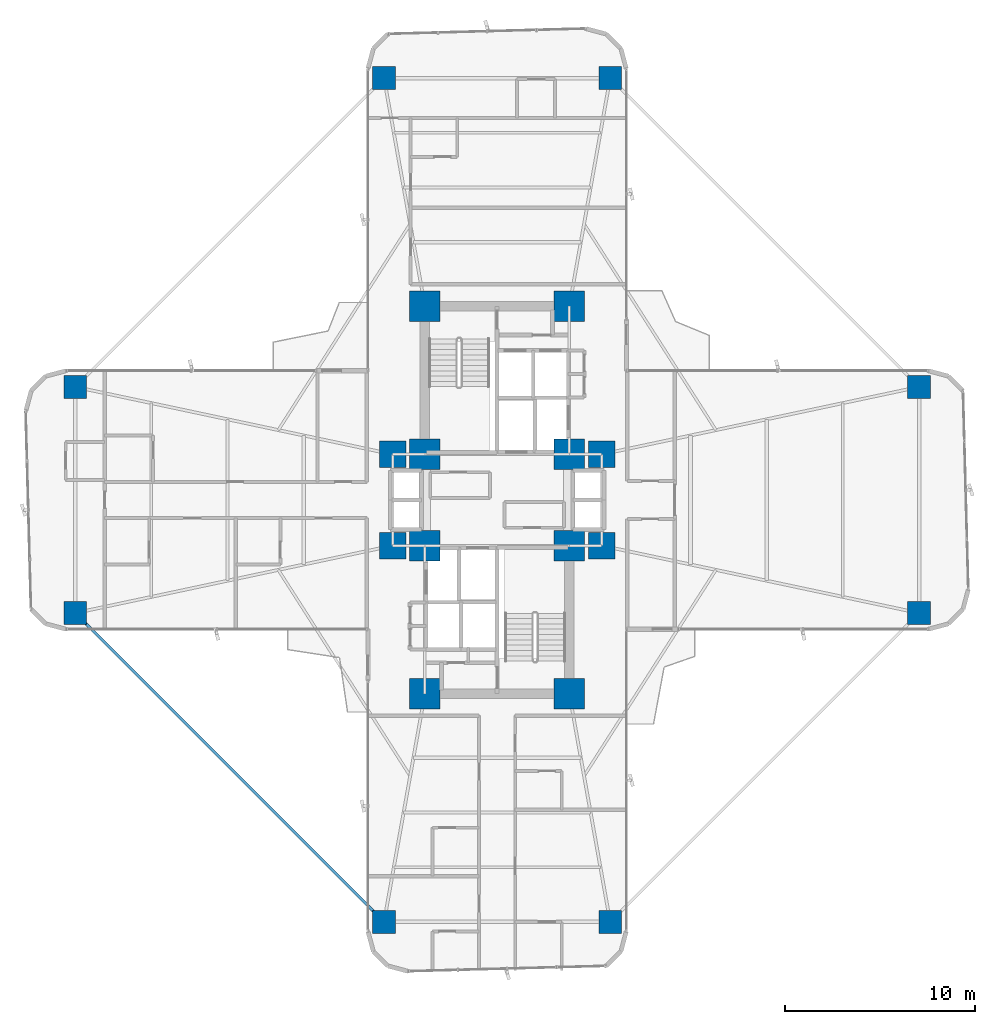
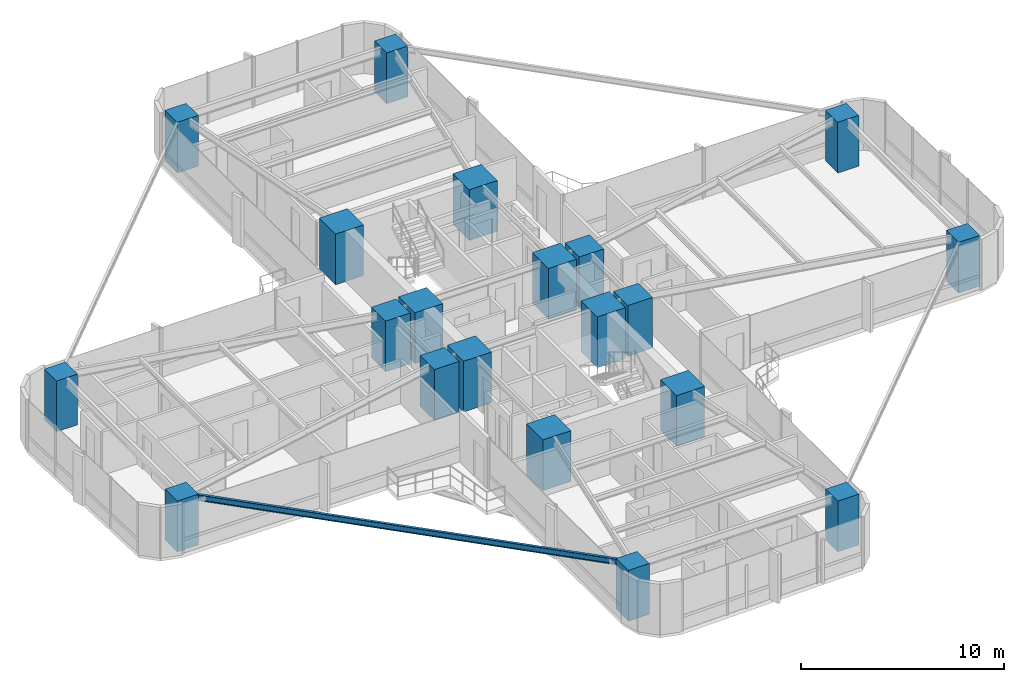
# One storey, part 1 of 26: 20 columns, 1 beam.
"""IFC4 building model written with IfcOpenShell, lengths in metres."""

from ifc_helpers import new_model, si_unit, direction, frame, origin, origin_2d, place, context, subcontext, project, spatial, rectangle, i_section, extrude, source, transform, mapped, material, material_profile, profile_set, type_object, element, save


model = new_model("IFC4")

# Units and contexts
model_context = context("Model", 3, precision=1e-05, world=origin(), true_north=direction((0.0, 1.0)))
body_context = subcontext(model_context, "Body", "Model", "MODEL_VIEW")
ifc_project = project(units=[si_unit("LENGTHUNIT", "METRE"), si_unit("AREAUNIT", "SQUARE_METRE"), si_unit("VOLUMEUNIT", "CUBIC_METRE"), si_unit("PLANEANGLEUNIT", "RADIAN"), si_unit("MASSUNIT", "GRAM", prefix="KILO")], contexts=[model_context])

# Site, building, storey
site_placement = place(None, origin())
site = spatial("IfcSite", under=ifc_project, at=site_placement, CompositionType="ELEMENT")
building_placement = place(site_placement, origin())
building = spatial("IfcBuilding", under=site, at=building_placement, Name="Sahyath Konkavel Grand Hotel", CompositionType="ELEMENT")
storey_placement = place(building_placement, frame((0.0, 0.0, 43.199951171875)))
storey = spatial("IfcBuildingStorey", under=building, at=storey_placement, Name="L11", CompositionType="ELEMENT", Elevation=43.199951171875)

# Columns
ifc_material_1 = material(Name="Concrete C70/85", Category="concrete")
ifc_material_profile_1 = material_profile(ifc_material_1, rectangle(XDim=1.60009765625, YDim=1.60009765625, at=origin_2d()), Name="RC 1600x1600")
ifc_profile_set_1 = profile_set([ifc_material_profile_1], Name="Concrete C70/85")
column_type_1 = type_object("IfcColumnType", Name="COL-RC1600", PredefinedType="COLUMN", material=ifc_profile_set_1)
shared_shape_1 = source(origin(), body_context, "Body", "SweptSolid", [
    extrude(rectangle(XDim=1.60009765625, YDim=1.60009765625, at=origin_2d()), origin(), (0.0, 0.0, 1.0), 3.050048828125),
])
for number, where, z_axis, x_axis, name in (
    (1, (-3.800048828125, 2.39990234375, 0.0), (0.0, 0.0, 1.0), (1.0, 0.0, 0.0), "L11 Core Boundary Column NC-SW"),
    (2, (3.800048828125, 2.39990234375, 0.0), (0.0, 0.0, 1.0), (1.0, 0.0, 0.0), "L11 Core Boundary Column NC-SE"),
    (3, (-3.800048828125, 10.199951171875, 0.0), (0.0, 0.0, 1.0), (1.0, 0.0, 0.0), "L11 Core Boundary Column NC-NW"),
    (4, (3.800048828125, 10.199951171875, 0.0), (0.0, 0.0, 1.0), (1.0, 0.0, 0.0), "L11 Core Boundary Column NC-NE"),
    (5, (-3.800048828125, -2.39990234375, 0.0), (0.0, 0.0, 1.0), (1.0, 0.0, 0.0), "L11 Core Boundary Column SC-NW"),
    (6, (3.800048828125, -2.39990234375, 0.0), (0.0, 0.0, 1.0), (1.0, 0.0, 0.0), "L11 Core Boundary Column SC-NE"),
    (7, (-3.800048828125, -10.199951171875, 0.0), (0.0, 0.0, 1.0), (1.0, 0.0, 0.0), "L11 Core Boundary Column SC-SW"),
    (8, (3.800048828125, -10.199951171875, 0.0), (0.0, 0.0, 1.0), (1.0, 0.0, 0.0), "L11 Core Boundary Column SC-SE"),
):
    element("IfcColumn", number, at=place(storey_placement, frame(where, z_axis=z_axis, x_axis=x_axis)), inside=storey, type_object=column_type_1, Name=name, PredefinedType="COLUMN", context=body_context, shape_type="MappedRepresentation", body=[
        mapped(shared_shape_1, transform((0.0, 0.0, 0.0), scale=1.0)),
    ])
ifc_material_profile_2 = material_profile(ifc_material_1, rectangle(XDim=1.39990234375, YDim=1.39990234375, at=origin_2d()), Name="RC 1400x1400")
ifc_profile_set_2 = profile_set([ifc_material_profile_2], Name="Concrete C70/85")
column_type_2 = type_object("IfcColumnType", Name="COL-RC1400", PredefinedType="COLUMN", material=ifc_profile_set_2)
shared_shape_2 = source(origin(), body_context, "Body", "SweptSolid", [
    extrude(rectangle(XDim=1.39990234375, YDim=1.39990234375, at=origin_2d()), origin(), (0.0, 0.0, 1.0), 3.050048828125),
])
for number, where, z_axis, x_axis, name in (
    (9, (5.5, 2.39990234375, 0.0), (0.0, 0.0, 1.0), (1.0, 0.0, 0.0), "L11 Central Spine Column HB-NE"),
    (10, (-5.5, 2.39990234375, 0.0), (0.0, 0.0, 1.0), (1.0, 0.0, 0.0), "L11 Central Spine Column HB-NW"),
    (11, (5.5, -2.39990234375, 0.0), (0.0, 0.0, 1.0), (1.0, 0.0, 0.0), "L11 Central Spine Column HB-SE"),
    (12, (-5.5, -2.39990234375, 0.0), (0.0, 0.0, 1.0), (1.0, 0.0, 0.0), "L11 Central Spine Column HB-SW"),
):
    element("IfcColumn", number, at=place(storey_placement, frame(where, z_axis=z_axis, x_axis=x_axis)), inside=storey, type_object=column_type_2, Name=name, PredefinedType="COLUMN", context=body_context, shape_type="MappedRepresentation", body=[
        mapped(shared_shape_2, transform((0.0, 0.0, 0.0), scale=1.0)),
    ])
ifc_material_2 = material(Name="Concrete C50/60", Category="concrete")
ifc_material_profile_3 = material_profile(ifc_material_2, rectangle(XDim=1.199951171875, YDim=1.199951171875, at=origin_2d()), Name="RC 1200x1200")
ifc_profile_set_3 = profile_set([ifc_material_profile_3], Name="Concrete C50/60")
column_type_3 = type_object("IfcColumnType", Name="COL-RC1200", PredefinedType="COLUMN", material=ifc_profile_set_3)
shared_shape_3 = source(origin(), body_context, "Body", "SweptSolid", [
    extrude(rectangle(XDim=1.199951171875, YDim=1.199951171875, at=origin_2d()), origin(), (0.0, 0.0, 1.0), 3.050048828125),
])
for number, where, z_axis, x_axis, name in (
    (13, (22.199951171875, -5.949951171875, 0.0), (0.0, 0.0, 1.0), (1.0, 0.0, 0.0), "L11 Cruciform Wing Column WC-EA"),
    (14, (22.199951171875, 5.949951171875, 0.0), (0.0, 0.0, 1.0), (1.0, 0.0, 0.0), "L11 Cruciform Wing Column WC-EB"),
    (15, (5.949951171875, 22.199951171875, 0.0), (0.0, 0.0, 1.0), (1.0, 0.0, 0.0), "L11 Cruciform Wing Column WC-NA"),
    (16, (-5.949951171875, 22.199951171875, 0.0), (0.0, 0.0, 1.0), (1.0, 0.0, 0.0), "L11 Cruciform Wing Column WC-NB"),
    (17, (-22.199951171875, 5.949951171875, 0.0), (0.0, 0.0, 1.0), (1.0, 0.0, 0.0), "L11 Cruciform Wing Column WC-WA"),
    (18, (-22.199951171875, -5.949951171875, 0.0), (0.0, 0.0, 1.0), (1.0, 0.0, 0.0), "L11 Cruciform Wing Column WC-WB"),
    (19, (-5.949951171875, -22.199951171875, 0.0), (0.0, 0.0, 1.0), (1.0, 0.0, 0.0), "L11 Cruciform Wing Column WC-SA"),
    (20, (5.949951171875, -22.199951171875, 0.0), (0.0, 0.0, 1.0), (1.0, 0.0, 0.0), "L11 Cruciform Wing Column WC-SB"),
):
    element("IfcColumn", number, at=place(storey_placement, frame(where, z_axis=z_axis, x_axis=x_axis)), inside=storey, type_object=column_type_3, Name=name, PredefinedType="COLUMN", context=body_context, shape_type="MappedRepresentation", body=[
        mapped(shared_shape_3, transform((0.0, 0.0, 0.0), scale=1.0)),
    ])

# Beam
ifc_material_3 = material(Name="Steel E350", Category="steel")
ifc_material_profile_4 = material_profile(ifc_material_3, i_section(OverallWidth=0.139892578125, OverallDepth=0.35009765625, WebThickness=0.008056640625, FlangeThickness=0.01416015625, FilletRadius=0.013916015625, at=origin_2d()), Name="ISMB 350")
ifc_profile_set_4 = profile_set([ifc_material_profile_4], Name="Steel E350")
beam_type = type_object("IfcBeamType", Name="BM-ISMB350", PredefinedType="BEAM", material=ifc_profile_set_4)
shared_shape_4 = source(origin(), body_context, "Body", "SweptSolid", [
    extrude(i_section(OverallWidth=0.139892578125, OverallDepth=0.35009765625, WebThickness=0.008056640625, FlangeThickness=0.01416015625, FilletRadius=0.013916015625, at=origin_2d()), origin(), (0.0, 0.0, 1.0), 22.98095703125),
])
beam_placement = place(storey_placement, frame((-22.199951171875, -5.949951171875, 2.875), z_axis=(0.707106781187, -0.707106781187, 0.0), x_axis=(0.707106781187, 0.707106781187, 0.0)))
element("IfcBeam", 21, at=beam_placement, inside=storey, type_object=beam_type, Name="L11 Re-Entrant Tie Beam SW", PredefinedType="BEAM", context=body_context, shape_type="MappedRepresentation", body=[
    mapped(shared_shape_4, transform((0.0, 0.0, 0.0), scale=1.0)),
])

save(model, "model.ifc")
